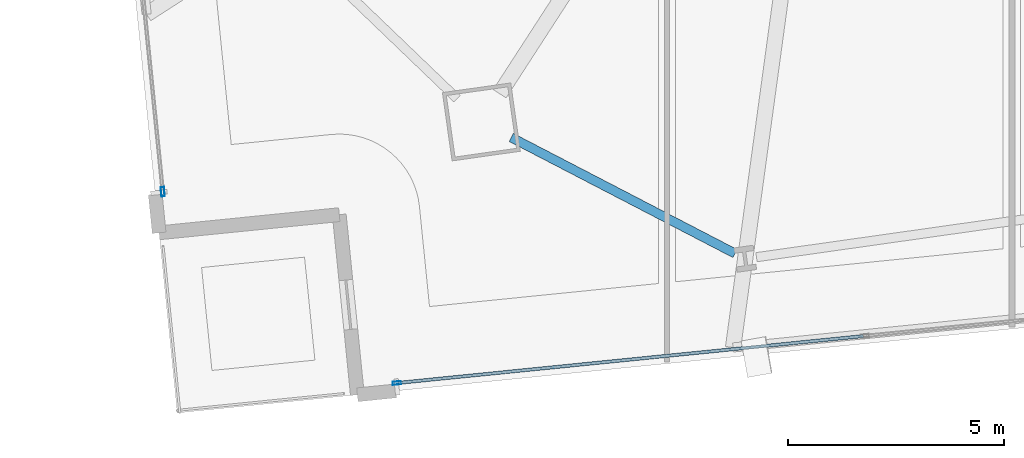
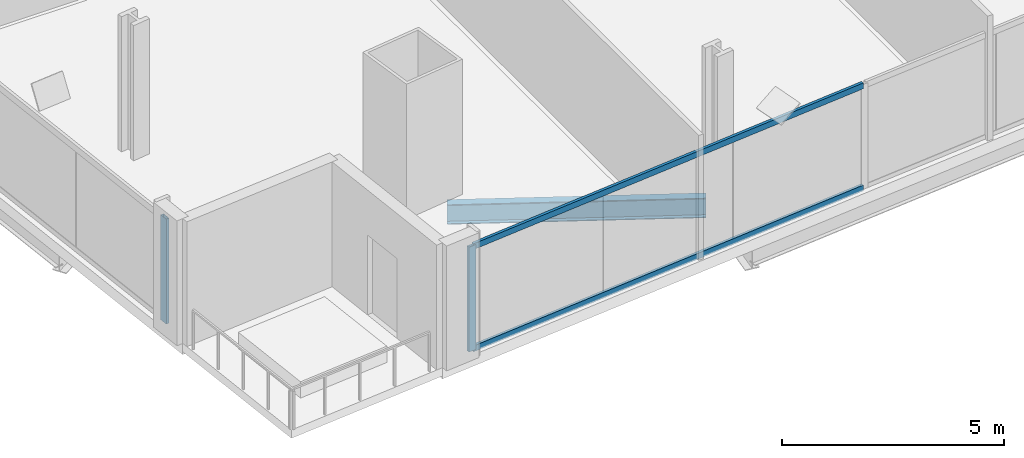
# One storey, part 2 of 33: 4 members, 1 beam, 2 elements without a shape of their own.
"""IFC4 building model written with IfcOpenShell, lengths in metres."""

from ifc_helpers import new_model, si_unit, direction, frame, origin, origin_2d, place, context, subcontext, project, spatial, hollow_rectangle, i_section, extrude, material, material_profile, profile_set, type_object, element, aggregate, save


model = new_model("IFC4")

# Units and contexts
model_context = context("Model", 3, precision=1e-05, world=origin(), true_north=direction((0.0, 1.0)))
body_context = subcontext(model_context, "Body", "Model", "MODEL_VIEW")
ifc_project = project(units=[si_unit("LENGTHUNIT", "METRE"), si_unit("AREAUNIT", "SQUARE_METRE"), si_unit("VOLUMEUNIT", "CUBIC_METRE"), si_unit("PLANEANGLEUNIT", "RADIAN"), si_unit("MASSUNIT", "GRAM", prefix="KILO")], contexts=[model_context])

# Site, building, storey
site_placement = place(None, origin())
site = spatial("IfcSite", under=ifc_project, at=site_placement, CompositionType="ELEMENT")
building_placement = place(site_placement, origin())
building = spatial("IfcBuilding", under=site, at=building_placement, Name="Haldenkirk Collegiate Tower", CompositionType="ELEMENT")
storey_placement = place(building_placement, frame((0.0, 0.0, 47.699951171875)))
storey = spatial("IfcBuildingStorey", under=building, at=storey_placement, Name="L10", CompositionType="ELEMENT", Elevation=47.699951171875)

# Beam
ifc_material_1 = material(Name="Steel ASTM A992 Grade 50", Category="steel")
ifc_material_profile_1 = material_profile(ifc_material_1, i_section(OverallWidth=0.2119140625, OverallDepth=0.5439453125, WebThickness=0.01318359375, FlangeThickness=0.021240234375, at=origin_2d()), Name="W21X83")
ifc_profile_set_1 = profile_set([ifc_material_profile_1], Name="Steel ASTM A992 Grade 50")
beam_type = type_object("IfcBeamType", Name="BM-SPANDREL-W21X83", PredefinedType="SPANDREL", material=ifc_profile_set_1)
beam_placement = place(storey_placement, frame((19.388671875, 4.8125, -0.58203125), z_axis=(0.887640153988, -0.460537682528, 0.0), x_axis=(0.460537682528, 0.887640153988, 0.0)))
element("IfcBeam", 1, at=beam_placement, inside=storey, type_object=beam_type, Name="L10 perimeter spandrel beam 01", PredefinedType="SPANDREL", context=body_context, shape_type="SweptSolid", body=[
    extrude(i_section(OverallWidth=0.2119140625, OverallDepth=0.5439453125, WebThickness=0.01318359375, FlangeThickness=0.021240234375, at=origin_2d()), origin(), (0.0, 0.0, 1.0), 5.848876953125),
])

# Curtain wall, member
ifc_material_2 = material(Name="Anodised architectural bronze aluminium", Category="aluminium")
curtain_wall_type_1 = type_object("IfcCurtainWallType", Name="CW-SYS2-CONCAVE", PredefinedType="USERDEFINED", material=ifc_material_2)
curtain_wall_1_placement = place(storey_placement, origin())
curtain_wall_1 = element("IfcCurtainWall", 2, at=curtain_wall_1_placement, inside=storey, type_object=curtain_wall_type_1, Name="L10 South concave recessed bronze-anodised curtain wall", ObjectType="UNITISED CURTAIN WALL", PredefinedType="USERDEFINED")
ifc_material_profile_2 = material_profile(ifc_material_2, hollow_rectangle(XDim=0.074951171875, YDim=0.18994140625, WallThickness=0.0048828125, at=origin_2d()), Name="CW-MUL-02")
ifc_profile_set_2 = profile_set([ifc_material_profile_2], Name="Anodised architectural bronze aluminium")
member_type_1 = type_object("IfcMemberType", Name="CW-MUL-02", PredefinedType="MULLION", material=ifc_profile_set_2)
member_1_placement = place(storey_placement, frame((16.734130859375, -0.885498046875, 0.0), z_axis=(0.0, 0.0, 1.0), x_axis=(0.100187271136, -0.994968597847, 0.0)))
member_1 = element("IfcMember", 3, at=member_1_placement, type_object=member_type_1, Name="CW-02 mullion 5", PredefinedType="MULLION", context=body_context, shape_type="SweptSolid", body=[
    extrude(hollow_rectangle(XDim=0.074951171875, YDim=0.18994140625, WallThickness=0.0048828125, at=origin_2d()), origin(), (0.0, 0.0, 1.0), 2.89111328125),
])

curtain_wall_type_2 = type_object("IfcCurtainWallType", Name="CW-SYS1-CONVEX-LOW", PredefinedType="USERDEFINED", material=ifc_material_2)
curtain_wall_2_placement = place(storey_placement, origin())
curtain_wall_2 = element("IfcCurtainWall", 4, at=curtain_wall_2_placement, inside=storey, type_object=curtain_wall_type_2, Name="L10 Lower tower convex bronze-framed unitised curtain wall", ObjectType="UNITISED CURTAIN WALL", PredefinedType="USERDEFINED")
ifc_material_profile_3 = material_profile(ifc_material_2, hollow_rectangle(XDim=0.080078125, YDim=0.219970703125, WallThickness=0.0048828125, at=origin_2d()), Name="CW-MUL-1A")
ifc_profile_set_3 = profile_set([ifc_material_profile_3], Name="Anodised architectural bronze aluminium")
member_type_2 = type_object("IfcMemberType", Name="CW-MUL-1A", PredefinedType="MULLION", material=ifc_profile_set_3)
member_2_placement = place(storey_placement, frame((11.3046875, 3.552978515625, 0.0), z_axis=(0.0, 0.0, 1.0), x_axis=(-0.994968667969, -0.100186574745, 0.0)))
member_2 = element("IfcMember", 5, at=member_2_placement, type_object=member_type_2, Name="CW-1A mullion 1", PredefinedType="MULLION", context=body_context, shape_type="SweptSolid", body=[
    extrude(hollow_rectangle(XDim=0.080078125, YDim=0.219970703125, WallThickness=0.0048828125, at=origin_2d()), origin(), (0.0, 0.0, 1.0), 2.89111328125),
])
aggregate(curtain_wall_2, [member_2])

# Member
ifc_material_profile_4 = material_profile(ifc_material_2, hollow_rectangle(XDim=0.074951171875, YDim=0.159912109375, WallThickness=0.0048828125, at=origin_2d()), Name="CW-TRN-02")
ifc_profile_set_4 = profile_set([ifc_material_profile_4], Name="Anodised architectural bronze aluminium")
member_type_3 = type_object("IfcMemberType", Name="CW-TRN-02", PredefinedType="USERDEFINED", material=ifc_profile_set_4)
member_3_placement = place(storey_placement, frame((27.554443359375, 0.2041015625, 0.03759765625), z_axis=(-0.994969378387, -0.100179519227, 0.0), x_axis=(0.100179519227, -0.994969378387, 0.0)))
member_3 = element("IfcMember", 6, at=member_3_placement, type_object=member_type_3, Name="CW-02 transom 4.1", ObjectType="TRANSOM", PredefinedType="USERDEFINED", context=body_context, shape_type="SweptSolid", body=[
    extrude(hollow_rectangle(XDim=0.074951171875, YDim=0.159912109375, WallThickness=0.0048828125, at=origin_2d()), origin(), (0.0, 0.0, 1.0), 10.83740234375),
])

member_4_placement = place(storey_placement, frame((27.554443359375, 0.2041015625, 2.853515625), z_axis=(-0.994969378387, -0.100179519227, 0.0), x_axis=(0.100179519227, -0.994969378387, 0.0)))
member_4 = element("IfcMember", 7, at=member_4_placement, type_object=member_type_3, Name="CW-02 transom 4.2", ObjectType="TRANSOM", PredefinedType="USERDEFINED", context=body_context, shape_type="SweptSolid", body=[
    extrude(hollow_rectangle(XDim=0.074951171875, YDim=0.159912109375, WallThickness=0.0048828125, at=origin_2d()), origin(), (0.0, 0.0, 1.0), 10.83740234375),
])

aggregate(curtain_wall_1, [member_1, member_3, member_4])

save(model, "model.ifc")
